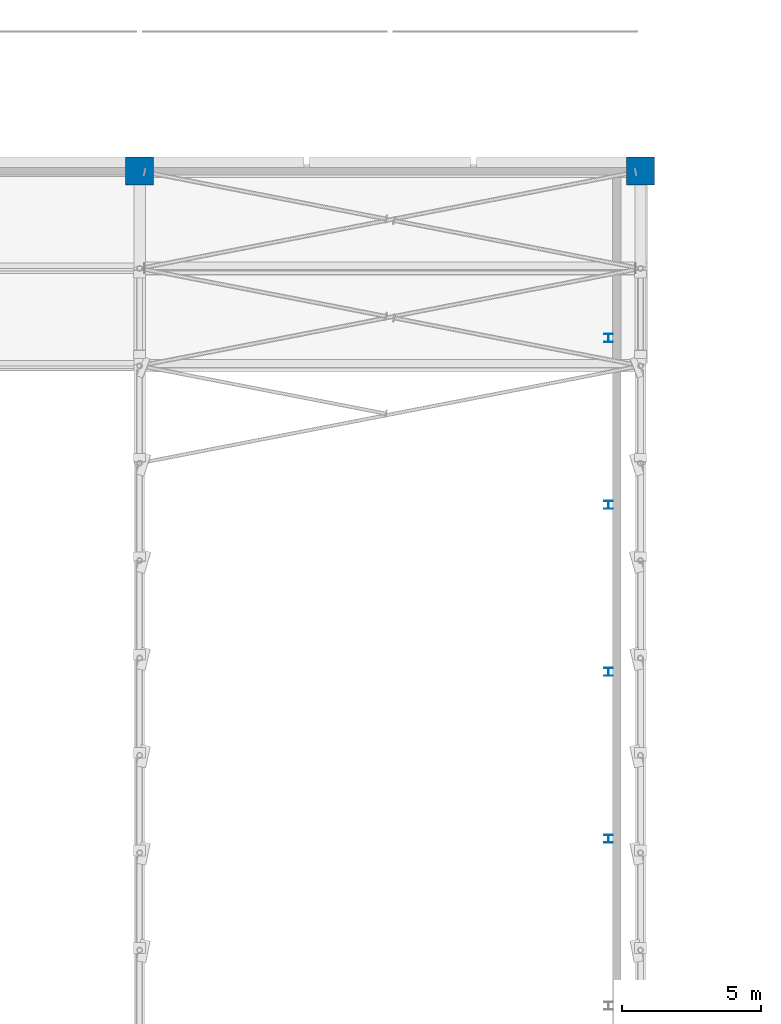
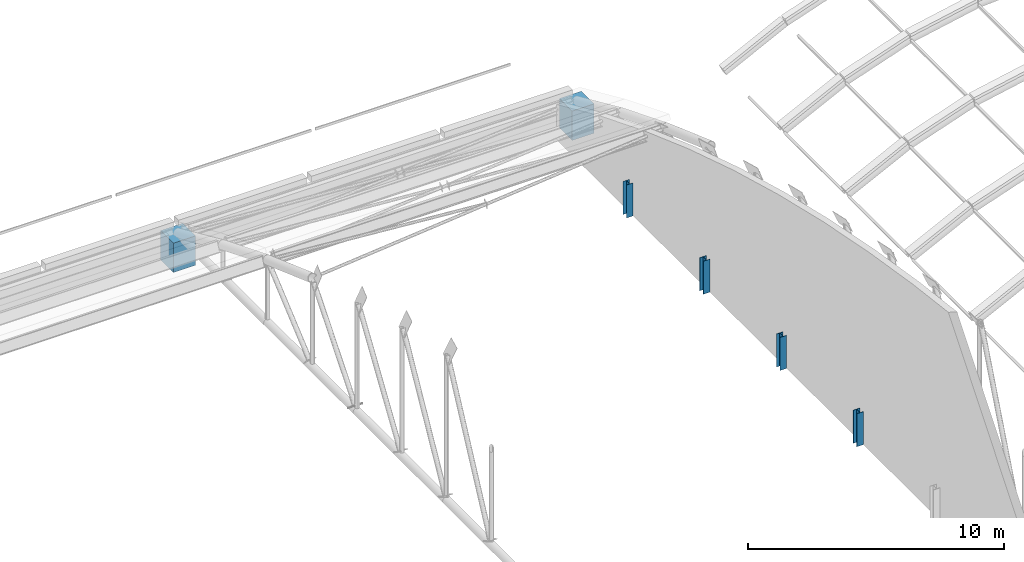
# One storey, part 21 of 196: 6 columns.
"""IFC4 building model written with IfcOpenShell, lengths in metres."""

from ifc_helpers import new_model, si_unit, direction, frame, origin, origin_2d, place, context, subcontext, project, spatial, rectangle, i_section, extrude, material, material_profile, profile_set, type_object, element, save


model = new_model("IFC4")

# Units and contexts
model_context = context("Model", 3, precision=1e-05, world=origin(), true_north=direction((0.0, 1.0)))
body_context = subcontext(model_context, "Body", "Model", "MODEL_VIEW")
ifc_project = project(units=[si_unit("LENGTHUNIT", "METRE"), si_unit("AREAUNIT", "SQUARE_METRE"), si_unit("VOLUMEUNIT", "CUBIC_METRE"), si_unit("PLANEANGLEUNIT", "RADIAN"), si_unit("MASSUNIT", "GRAM", prefix="KILO")], contexts=[model_context])

# Site, building, storey
site_placement = place(None, origin())
site = spatial("IfcSite", under=ifc_project, at=site_placement, CompositionType="ELEMENT")
building_placement = place(site_placement, origin())
building = spatial("IfcBuilding", under=site, at=building_placement, Name="Okhra Congress Centre", CompositionType="ELEMENT")
storey_placement = place(building_placement, frame((0.0, 0.0, 12.0)))
storey = spatial("IfcBuildingStorey", under=building, at=storey_placement, Name="L02", CompositionType="ELEMENT", Elevation=12.0)

# Columns
ifc_material_1 = material(Name="Steel S355J2", Category="steel")
ifc_material_profile_1 = material_profile(ifc_material_1, i_section(OverallWidth=0.300048828125, OverallDepth=0.2900390625, WebThickness=0.008544921875, FlangeThickness=0.013916015625, at=origin_2d()), Name="HE 300 A")
ifc_profile_set_1 = profile_set([ifc_material_profile_1], Name="Steel S355J2")
column_type_1 = type_object("IfcColumnType", Name="HE 300 A", PredefinedType="COLUMN", material=ifc_profile_set_1)
for number, where, z_axis, x_axis, name in (
    (1, (152.85009765625, 192.0, 0.0), (0.0, 0.0, 1.0), (1.0, 0.0, 0.0), "EH.COL.L02.WP34"),
    (2, (152.85009765625, 198.0, 0.0), (0.0, 0.0, 1.0), (1.0, 0.0, 0.0), "EH.COL.L02.WP36"),
    (3, (152.85009765625, 204.0, 0.0), (0.0, 0.0, 1.0), (1.0, 0.0, 0.0), "EH.COL.L02.WP38"),
    (4, (152.85009765625, 210.0, 0.0), (0.0, 0.0, 1.0), (1.0, 0.0, 0.0), "EH.COL.L02.WP40"),
):
    element("IfcColumn", number, at=place(storey_placement, frame(where, z_axis=z_axis, x_axis=x_axis)), inside=storey, type_object=column_type_1, Name=name, PredefinedType="COLUMN", context=body_context, shape_type="SweptSolid", body=[
        extrude(i_section(OverallWidth=0.300048828125, OverallDepth=0.2900390625, WebThickness=0.008544921875, FlangeThickness=0.013916015625, at=origin_2d()), origin(), (0.0, 0.0, 1.0), 1.57666015625),
    ])
ifc_material_2 = material(Name="Concrete C40/50", Category="concrete")
ifc_material_profile_2 = material_profile(ifc_material_2, rectangle(XDim=1.0, YDim=1.0, at=origin_2d()), Name="RC 1000x1000")
ifc_profile_set_2 = profile_set([ifc_material_profile_2], Name="Concrete C40/50")
column_type_2 = type_object("IfcColumnType", Name="RC column 1000x1000 C40/50", PredefinedType="COLUMN", material=ifc_profile_set_2)
for number, where, z_axis, x_axis, name in (
    (5, (136.0, 216.0, 0.0), (0.0, 0.0, 1.0), (1.0, 0.0, 0.0), "EH.COL.L02.SC14"),
    (6, (154.0, 216.0, 0.0), (0.0, 0.0, 1.0), (1.0, 0.0, 0.0), "EH.COL.L02.SC16"),
):
    element("IfcColumn", number, at=place(storey_placement, frame(where, z_axis=z_axis, x_axis=x_axis)), inside=storey, type_object=column_type_2, Name=name, PredefinedType="COLUMN", context=body_context, shape_type="SweptSolid", body=[
        extrude(rectangle(XDim=1.0, YDim=1.0, at=origin_2d()), origin(), (0.0, 0.0, 1.0), 1.39990234375),
    ])

save(model, "model.ifc")
